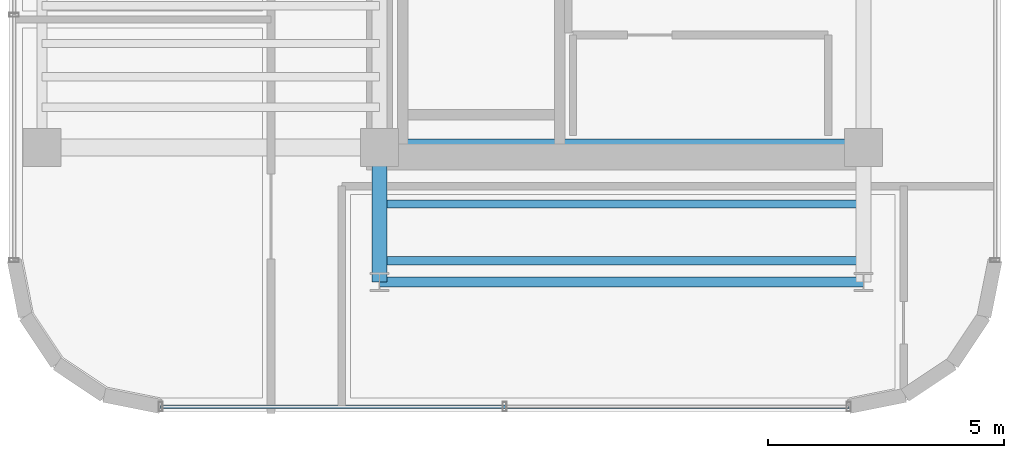
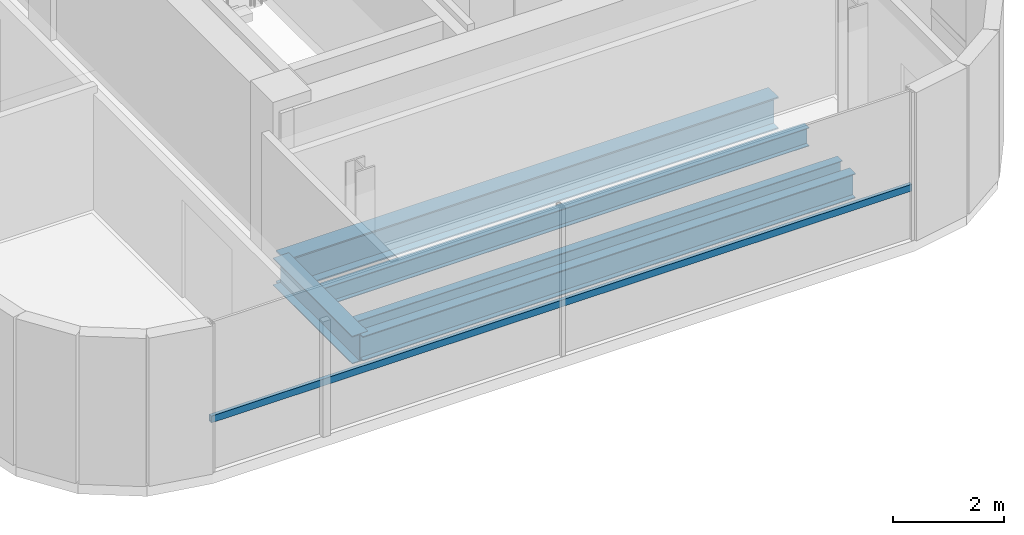
# One storey, part 3 of 18: 5 beams, 1 member, 1 element without a shape of its own.
"""IFC4 building model written with IfcOpenShell, lengths in metres."""

from ifc_helpers import new_model, si_unit, direction, frame, origin, origin_2d, place, context, subcontext, project, spatial, hollow_rectangle, i_section, extrude, source, transform, mapped, material, material_profile, profile_set, type_object, element, aggregate, save


model = new_model("IFC4")

# Units and contexts
model_context = context("Model", 3, precision=1e-05, world=origin(), true_north=direction((0.0, 1.0)))
body_context = subcontext(model_context, "Body", "Model", "MODEL_VIEW")
ifc_project = project(units=[si_unit("LENGTHUNIT", "METRE"), si_unit("AREAUNIT", "SQUARE_METRE"), si_unit("VOLUMEUNIT", "CUBIC_METRE"), si_unit("PLANEANGLEUNIT", "RADIAN"), si_unit("MASSUNIT", "GRAM", prefix="KILO")], contexts=[model_context])

# Site, building, storey
site_placement = place(None, origin())
site = spatial("IfcSite", under=ifc_project, at=site_placement, CompositionType="ELEMENT")
building_placement = place(site_placement, origin())
building = spatial("IfcBuilding", under=site, at=building_placement, Name="Valdorenza Pilgrim Sanctuary Tower", CompositionType="ELEMENT")
storey_placement = place(building_placement, frame((0.0, 0.0, 247.5)))
storey = spatial("IfcBuildingStorey", under=building, at=storey_placement, Name="L64", CompositionType="ELEMENT", Elevation=247.5)

# Beams
ifc_material_1 = material(Name="Steel ASTM A992 Grade 50", Category="steel")
ifc_material_profile_1 = material_profile(ifc_material_1, i_section(OverallWidth=0.323974609375, OverallDepth=0.611083984375, WebThickness=0.0126953125, FlangeThickness=0.01904296875, at=origin_2d()), Name="W24X104")
ifc_profile_set_1 = profile_set([ifc_material_profile_1], Name="Steel ASTM A992 Grade 50")
beam_type_1 = type_object("IfcBeamType", Name="STR-BM-GRD-W24B", PredefinedType="BEAM", material=ifc_profile_set_1)
shared_shape_1 = source(origin(), body_context, "Body", "SweptSolid", [
    extrude(i_section(OverallWidth=0.323974609375, OverallDepth=0.611083984375, WebThickness=0.0126953125, FlangeThickness=0.01904296875, at=origin_2d()), origin(), (0.0, 0.0, 1.0), 2.849853515625),
])
beam_1_placement = place(storey_placement, frame((-22.64990234375, -13.449951171875, -0.54541015625), z_axis=(0.0, 1.0, 0.0), x_axis=(-1.0, 0.0, 0.0)))
element("IfcBeam", 1, at=beam_1_placement, inside=storey, type_object=beam_type_1, Name="L64 Floor Girder WA-S-LW", PredefinedType="BEAM", context=body_context, shape_type="MappedRepresentation", body=[
    mapped(shared_shape_1, transform((0.0, 0.0, 0.0), x_axis=(1.0, 0.0, 0.0), y_axis=(0.0, 1.0, 0.0), z_axis=(0.0, 0.0, 1.0), scale=1.0)),
])
ifc_material_profile_2 = material_profile(ifc_material_1, i_section(OverallWidth=0.2109375, OverallDepth=0.5390625, WebThickness=0.01171875, FlangeThickness=0.018798828125, at=origin_2d()), Name="W21X73")
ifc_profile_set_2 = profile_set([ifc_material_profile_2], Name="Steel ASTM A992 Grade 50")
beam_type_2 = type_object("IfcBeamType", Name="STR-BM-SPN-W21B", PredefinedType="SPANDREL", material=ifc_profile_set_2)
shared_shape_2 = source(origin(), body_context, "Body", "SweptSolid", [
    extrude(i_section(OverallWidth=0.2109375, OverallDepth=0.5390625, WebThickness=0.01171875, FlangeThickness=0.018798828125, at=origin_2d()), origin(), (0.0, 0.0, 1.0), 10.25),
])
beam_2_placement = place(storey_placement, frame((-22.64990234375, -13.449951171875, -0.509521484375), z_axis=(1.0, 0.0, 0.0), x_axis=(0.0, 1.0, 0.0)))
element("IfcBeam", 2, at=beam_2_placement, inside=storey, type_object=beam_type_2, Name="L64 South Spandrel WA-S-TIE", PredefinedType="SPANDREL", context=body_context, shape_type="MappedRepresentation", body=[
    mapped(shared_shape_2, transform((0.0, 0.0, 0.0), x_axis=(1.0, 0.0, 0.0), y_axis=(0.0, 1.0, 0.0), z_axis=(0.0, 0.0, 1.0), scale=1.0)),
])
ifc_material_profile_3 = material_profile(ifc_material_1, i_section(OverallWidth=0.35595703125, OverallDepth=0.700927734375, WebThickness=0.016845703125, FlangeThickness=0.02734375, at=origin_2d()), Name="W27X161")
ifc_profile_set_3 = profile_set([ifc_material_profile_3], Name="Steel ASTM A992 Grade 50")
beam_type_3 = type_object("IfcBeamType", Name="STR-BM-GRD-W27", PredefinedType="BEAM", material=ifc_profile_set_3)
shared_shape_3 = source(origin(), body_context, "Body", "SweptSolid", [
    extrude(i_section(OverallWidth=0.35595703125, OverallDepth=0.700927734375, WebThickness=0.016845703125, FlangeThickness=0.02734375, at=origin_2d()), origin(), (0.0, 0.0, 1.0), 10.25),
])
beam_3_placement = place(storey_placement, frame((-22.64990234375, -10.60009765625, -0.590576171875), z_axis=(1.0, 0.0, 0.0), x_axis=(0.0, 1.0, 0.0)))
element("IfcBeam", 3, at=beam_3_placement, inside=storey, type_object=beam_type_3, Name="L64 Floor Girder CA-XC-S1", PredefinedType="BEAM", context=body_context, shape_type="MappedRepresentation", body=[
    mapped(shared_shape_3, transform((0.0, 0.0, 0.0), x_axis=(1.0, 0.0, 0.0), y_axis=(0.0, 1.0, 0.0), z_axis=(0.0, 0.0, 1.0), scale=1.0)),
])
ifc_material_profile_4 = material_profile(ifc_material_1, i_section(OverallWidth=0.177978515625, OverallDepth=0.406005859375, WebThickness=0.0078125, FlangeThickness=0.0126953125, at=origin_2d()), Name="W16X40")
ifc_profile_set_4 = profile_set([ifc_material_profile_4], Name="Steel ASTM A992 Grade 50")
beam_type_4 = type_object("IfcBeamType", Name="STR-BM-JST-W16", PredefinedType="JOIST", material=ifc_profile_set_4)
shared_shape_4 = source(origin(), body_context, "Body", "SweptSolid", [
    extrude(i_section(OverallWidth=0.177978515625, OverallDepth=0.406005859375, WebThickness=0.0078125, FlangeThickness=0.0126953125, at=origin_2d()), origin(), (0.0, 0.0, 1.0), 10.25),
])
for number, where, z_axis, x_axis, name in (
    (4, (-22.64990234375, -13.0, -0.443115234375), (1.0, 0.0, 0.0), (0.0, 1.0, 0.0), "L64 Composite Floor Joist JST-WAS-1"),
    (5, (-22.64990234375, -11.800048828125, -0.443115234375), (1.0, 0.0, 0.0), (0.0, 1.0, 0.0), "L64 Composite Floor Joist JST-WAS-2"),
):
    element("IfcBeam", number, at=place(storey_placement, frame(where, z_axis=z_axis, x_axis=x_axis)), inside=storey, type_object=beam_type_4, Name=name, PredefinedType="JOIST", context=body_context, shape_type="MappedRepresentation", body=[
        mapped(shared_shape_4, transform((0.0, 0.0, 0.0), x_axis=(1.0, 0.0, 0.0), y_axis=(0.0, 1.0, 0.0), z_axis=(0.0, 0.0, 1.0), scale=1.0)),
    ])

# Curtain wall, member
ifc_material_2 = material(Name="Curtain-wall IGU glazing", Category="glass")
curtain_wall_type = type_object("IfcCurtainWallType", Name="CW-SYS-02", PredefinedType="NOTDEFINED", material=ifc_material_2)
curtain_wall_placement = place(storey_placement, origin())
curtain_wall = element("IfcCurtainWall", 6, at=curtain_wall_placement, inside=storey, type_object=curtain_wall_type, Name="L64 Curtain Wall CW-L64-1-26", PredefinedType="NOTDEFINED")
ifc_material_3 = material(Name="Anodised aluminium AW-6060", Category="aluminium")
ifc_material_profile_5 = material_profile(ifc_material_3, hollow_rectangle(XDim=0.074951171875, YDim=0.14990234375, WallThickness=0.00390625, at=origin_2d()), Name="ALU-T 150x75x4")
ifc_profile_set_5 = profile_set([ifc_material_profile_5], Name="Anodised aluminium AW-6060")
member_type = type_object("IfcMemberType", Name="CW-TRN-02", PredefinedType="USERDEFINED", material=ifc_profile_set_5)
shared_shape_5 = source(origin(), body_context, "Body", "SweptSolid", [
    extrude(hollow_rectangle(XDim=0.074951171875, YDim=0.14990234375, WallThickness=0.00390625, at=origin_2d()), origin(), (0.0, 0.0, 1.0), 14.57861328125),
])
member_placement = place(storey_placement, frame((-12.710693359375, -16.090087890625, 1.1201171875), z_axis=(-1.0, 0.0, 0.0), x_axis=(0.0, -1.0, 0.0)))
member = element("IfcMember", 7, at=member_placement, type_object=member_type, Name="CW-L64-1-26 Transom 1", ObjectType="TRANSOM", PredefinedType="USERDEFINED", context=body_context, shape_type="MappedRepresentation", body=[
    mapped(shared_shape_5, transform((0.0, 0.0, 0.0), x_axis=(1.0, 0.0, 0.0), y_axis=(0.0, 1.0, 0.0), z_axis=(0.0, 0.0, 1.0), scale=1.0)),
])
aggregate(curtain_wall, [member])

save(model, "model.ifc")
